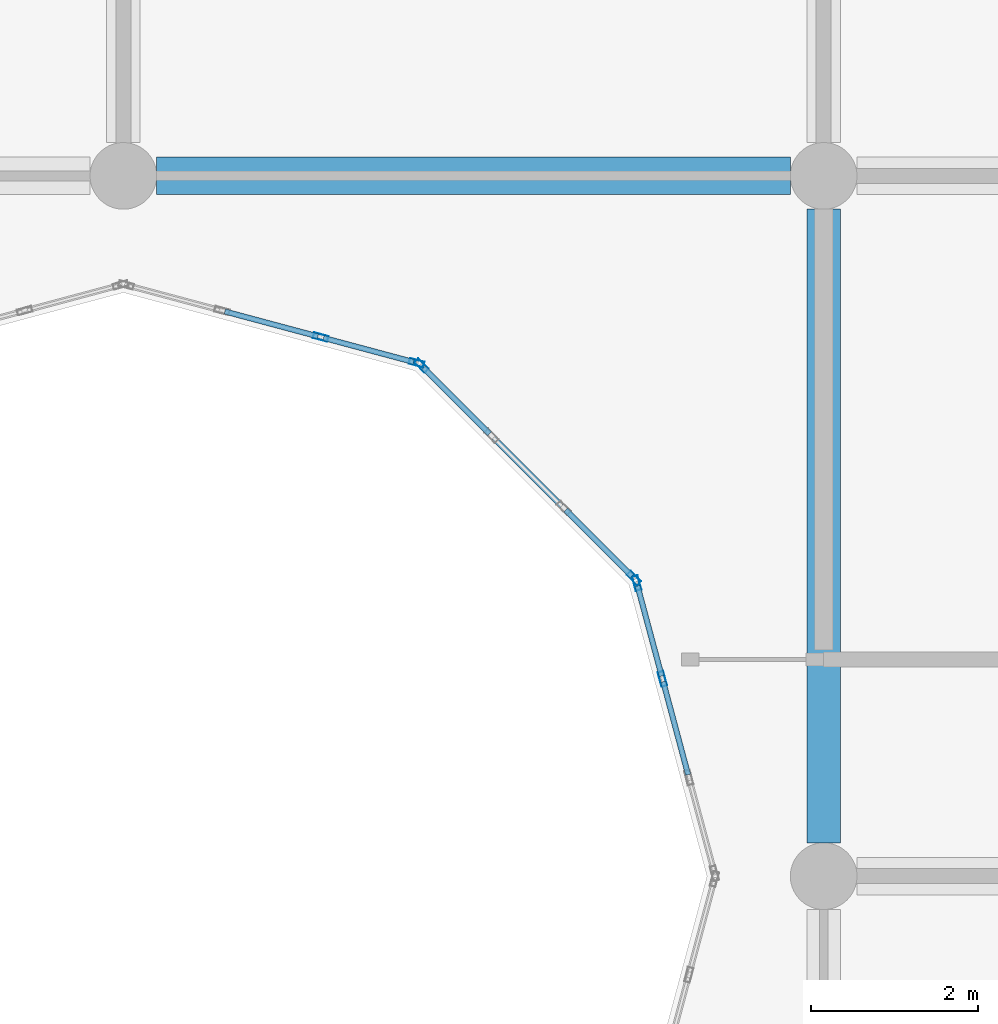
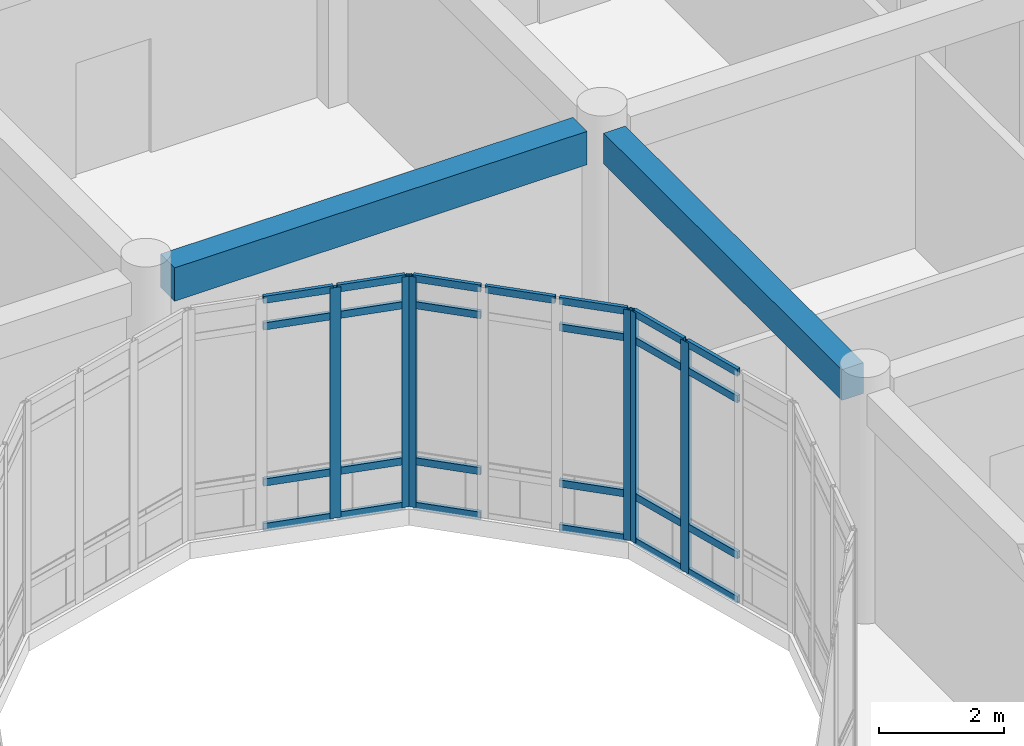
# One storey, part 40 of 138: 31 members, 2 beams, 3 elements without a shape of their own.
"""IFC4 building model written with IfcOpenShell, lengths in metres."""

from ifc_helpers import new_model, si_unit, direction, frame, origin, origin_2d, place, context, subcontext, project, spatial, rectangle, hollow_rectangle, extrude, material, layer, layer_set, material_profile, profile_set, type_object, element, aggregate, save


model = new_model("IFC4")

# Units and contexts
model_context = context("Model", 3, precision=1e-05, world=origin(), true_north=direction((0.0, 1.0)))
body_context = subcontext(model_context, "Body", "Model", "MODEL_VIEW")
ifc_project = project(units=[si_unit("LENGTHUNIT", "METRE"), si_unit("AREAUNIT", "SQUARE_METRE"), si_unit("VOLUMEUNIT", "CUBIC_METRE"), si_unit("PLANEANGLEUNIT", "RADIAN"), si_unit("MASSUNIT", "GRAM", prefix="KILO")], contexts=[model_context])

# Site, building, storey
site_placement = place(None, origin())
site = spatial("IfcSite", under=ifc_project, at=site_placement, CompositionType="ELEMENT")
building_placement = place(site_placement, origin())
building = spatial("IfcBuilding", under=site, at=building_placement, Name="Bramfleet General Hospital", CompositionType="ELEMENT")
storey_placement = place(building_placement, origin())
storey = spatial("IfcBuildingStorey", under=building, at=storey_placement, Name="L00", CompositionType="ELEMENT", Elevation=0.0)

# Beams
ifc_material_1 = material(Name="Concrete C35/45", Category="concrete")
ifc_material_profile_1 = material_profile(ifc_material_1, rectangle(XDim=0.39990234375, YDim=0.60009765625, at=origin_2d()), Name="RC BM 600x400")
ifc_profile_set_1 = profile_set([ifc_material_profile_1], Name="Concrete C35/45")
beam_type_1 = type_object("IfcBeamType", Name="BM-RC600", PredefinedType="BEAM", material=ifc_profile_set_1)
beam_1_placement = place(storey_placement, frame((92.39990234375, 76.0, 4.199951171875), z_axis=(0.0, 1.0, 0.0), x_axis=(-1.0, 0.0, 0.0)))
element("IfcBeam", 1, at=beam_1_placement, inside=storey, type_object=beam_type_1, Name="L00 Grid Beam Y 11-09", PredefinedType="BEAM", context=body_context, shape_type="SweptSolid", body=[
    extrude(rectangle(XDim=0.39990234375, YDim=0.60009765625, at=origin_2d()), origin(), (0.0, 0.0, 1.0), 7.60009765625),
])
ifc_material_profile_2 = material_profile(ifc_material_1, rectangle(XDim=0.449951171875, YDim=0.64990234375, at=origin_2d()), Name="RC BM 650x450")
ifc_profile_set_2 = profile_set([ifc_material_profile_2], Name="Concrete C35/45")
beam_type_2 = type_object("IfcBeamType", Name="BM-RC650", PredefinedType="BEAM", material=ifc_profile_set_2)
beam_2_placement = place(storey_placement, frame((84.39990234375, 84.0, 4.175048828125), z_axis=(1.0, 0.0, 0.0), x_axis=(0.0, 1.0, 0.0)))
element("IfcBeam", 2, at=beam_2_placement, inside=storey, type_object=beam_type_2, Name="L00 Grid Beam X 10-10", PredefinedType="BEAM", context=body_context, shape_type="SweptSolid", body=[
    extrude(rectangle(XDim=0.449951171875, YDim=0.64990234375, at=origin_2d()), origin(), (0.0, 0.0, 1.0), 7.60009765625),
])

# Curtain wall, members
ifc_material_2 = material(Name="Anodised aluminium and low-E triple glazing", Category="aluminium")
ifc_layer_1 = layer(ifc_material_2, 0.179931640625, Name="CWT-CW-15")
ifc_layer_set_1 = layer_set([ifc_layer_1], Name="Anodised aluminium and low-E triple glazing")
curtain_wall_type_1 = type_object("IfcCurtainWallType", Name="CWT-CW-15", PredefinedType="USERDEFINED", material=ifc_layer_set_1)
curtain_wall_1_placement = place(storey_placement, origin())
curtain_wall_1 = element("IfcCurtainWall", 3, at=curtain_wall_1_placement, inside=storey, type_object=curtain_wall_type_1, Name="L00 Central Diagnostic Light Court Curtain Wall 7.1", ObjectType="Stick curtain wall", PredefinedType="USERDEFINED")
ifc_material_3 = material(Name="Anodised aluminium EN AW-6060", Category="aluminium")
ifc_material_profile_3 = material_profile(ifc_material_3, hollow_rectangle(XDim=0.070068359375, YDim=0.179931640625, WallThickness=0.00390625, at=origin_2d()), Name="ALU 180x70x4.0")
ifc_profile_set_3 = profile_set([ifc_material_profile_3], Name="Anodised aluminium EN AW-6060")
member_type_1 = type_object("IfcMemberType", Name="CWM-ALU180", PredefinedType="MULLION", material=ifc_profile_set_3)
member_1_placement = place(storey_placement, frame((90.466064453125, 77.966552734375, 0.0), z_axis=(0.0, 0.0, 1.0), x_axis=(-0.965940765005, -0.258763286618, 0.0)))
member_1 = element("IfcMember", 4, at=member_1_placement, type_object=member_type_1, Name="CW-15 mullion 3", PredefinedType="MULLION", context=body_context, shape_type="SweptSolid", body=[
    extrude(hollow_rectangle(XDim=0.070068359375, YDim=0.179931640625, WallThickness=0.00390625, at=origin_2d()), origin(), (0.0, 0.0, 1.0), 4.489990234375),
])
member_2_placement = place(storey_placement, frame((90.157958984375, 79.1162109375, 0.0), z_axis=(0.0, 0.0, 1.0), x_axis=(-0.965940765005, -0.258763286618, 0.0)))
member_2 = element("IfcMember", 5, at=member_2_placement, type_object=member_type_1, Name="CW-15 mullion 4", PredefinedType="MULLION", context=body_context, shape_type="SweptSolid", body=[
    extrude(hollow_rectangle(XDim=0.070068359375, YDim=0.179931640625, WallThickness=0.00390625, at=origin_2d()), origin(), (0.0, 0.0, 1.0), 4.489990234375),
])

ifc_layer_2 = layer(ifc_material_2, 0.179931640625, Name="CWT-CW-16")
ifc_layer_set_2 = layer_set([ifc_layer_2], Name="Anodised aluminium and low-E triple glazing")
curtain_wall_type_2 = type_object("IfcCurtainWallType", Name="CWT-CW-16", PredefinedType="USERDEFINED", material=ifc_layer_set_2)
curtain_wall_2_placement = place(storey_placement, origin())
curtain_wall_2 = element("IfcCurtainWall", 6, at=curtain_wall_2_placement, inside=storey, type_object=curtain_wall_type_2, Name="L00 Central Diagnostic Light Court Curtain Wall 8.1", ObjectType="Stick curtain wall", PredefinedType="USERDEFINED")
member_3_placement = place(storey_placement, frame((90.124267578125, 79.1748046875, 0.0), z_axis=(0.0, 0.0, 1.0), x_axis=(-0.707106781187, -0.707106781187, 0.0)))
member_3 = element("IfcMember", 7, at=member_3_placement, type_object=member_type_1, Name="CW-16 mullion 1", PredefinedType="MULLION", context=body_context, shape_type="SweptSolid", body=[
    extrude(hollow_rectangle(XDim=0.070068359375, YDim=0.179931640625, WallThickness=0.00390625, at=origin_2d()), origin(), (0.0, 0.0, 1.0), 4.489990234375),
])
member_4_placement = place(storey_placement, frame((87.57470703125, 81.724365234375, 0.0), z_axis=(0.0, 0.0, 1.0), x_axis=(-0.707106781187, -0.707106781187, 0.0)))
member_4 = element("IfcMember", 8, at=member_4_placement, type_object=member_type_1, Name="CW-16 mullion 4", PredefinedType="MULLION", context=body_context, shape_type="SweptSolid", body=[
    extrude(hollow_rectangle(XDim=0.070068359375, YDim=0.179931640625, WallThickness=0.00390625, at=origin_2d()), origin(), (0.0, 0.0, 1.0), 4.489990234375),
])

ifc_layer_3 = layer(ifc_material_2, 0.179931640625, Name="CWT-CW-17")
ifc_layer_set_3 = layer_set([ifc_layer_3], Name="Anodised aluminium and low-E triple glazing")
curtain_wall_type_3 = type_object("IfcCurtainWallType", Name="CWT-CW-17", PredefinedType="USERDEFINED", material=ifc_layer_set_3)
curtain_wall_3_placement = place(storey_placement, origin())
curtain_wall_3 = element("IfcCurtainWall", 9, at=curtain_wall_3_placement, inside=storey, type_object=curtain_wall_type_3, Name="L00 Central Diagnostic Light Court Curtain Wall 9.1", ObjectType="Stick curtain wall", PredefinedType="USERDEFINED")
member_5_placement = place(storey_placement, frame((87.51611328125, 81.758056640625, 0.0), z_axis=(0.0, 0.0, 1.0), x_axis=(-0.258763286618, -0.965940765005, 0.0)))
member_5 = element("IfcMember", 10, at=member_5_placement, type_object=member_type_1, Name="CW-17 mullion 1", PredefinedType="MULLION", context=body_context, shape_type="SweptSolid", body=[
    extrude(hollow_rectangle(XDim=0.070068359375, YDim=0.179931640625, WallThickness=0.00390625, at=origin_2d()), origin(), (0.0, 0.0, 1.0), 4.489990234375),
])
member_6_placement = place(storey_placement, frame((86.36669921875, 82.06591796875, 0.0), z_axis=(0.0, 0.0, 1.0), x_axis=(-0.258763286618, -0.965940765005, 0.0)))
member_6 = element("IfcMember", 11, at=member_6_placement, type_object=member_type_1, Name="CW-17 mullion 2", PredefinedType="MULLION", context=body_context, shape_type="SweptSolid", body=[
    extrude(hollow_rectangle(XDim=0.070068359375, YDim=0.179931640625, WallThickness=0.00390625, at=origin_2d()), origin(), (0.0, 0.0, 1.0), 4.489990234375),
])

# Member
ifc_material_profile_4 = material_profile(ifc_material_3, hollow_rectangle(XDim=0.06494140625, YDim=0.139892578125, WallThickness=0.00390625, at=origin_2d()), Name="ALU 140x65x4.0")
ifc_profile_set_4 = profile_set([ifc_material_profile_4], Name="Anodised aluminium EN AW-6060")
member_type_2 = type_object("IfcMemberType", Name="CWT-ALU140", PredefinedType="USERDEFINED", material=ifc_profile_set_4)
member_7_placement = place(storey_placement, frame((90.77392578125, 76.817138671875, 0.032470703125), z_axis=(-0.258714954608, 0.965953711242, 0.0), x_axis=(-0.965953711242, -0.258714954608, 0.0)))
member_7 = element("IfcMember", 12, at=member_7_placement, type_object=member_type_2, Name="CW-15 transom 2.1", ObjectType="TRANSOM", PredefinedType="USERDEFINED", context=body_context, shape_type="SweptSolid", body=[
    extrude(hollow_rectangle(XDim=0.06494140625, YDim=0.139892578125, WallThickness=0.00390625, at=origin_2d()), origin(), (0.0, 0.0, 1.0), 1.155029296875),
])

member_8_placement = place(storey_placement, frame((90.77392578125, 76.817138671875, 0.89990234375), z_axis=(-0.258714954608, 0.965953711242, 0.0), x_axis=(-0.965953711242, -0.258714954608, 0.0)))
member_8 = element("IfcMember", 13, at=member_8_placement, type_object=member_type_2, Name="CW-15 transom 2.2", ObjectType="TRANSOM", PredefinedType="USERDEFINED", context=body_context, shape_type="SweptSolid", body=[
    extrude(hollow_rectangle(XDim=0.06494140625, YDim=0.139892578125, WallThickness=0.00390625, at=origin_2d()), origin(), (0.0, 0.0, 1.0), 1.155029296875),
])

member_9_placement = place(storey_placement, frame((90.77392578125, 76.817138671875, 3.93994140625), z_axis=(-0.258714954608, 0.965953711242, 0.0), x_axis=(-0.965953711242, -0.258714954608, 0.0)))
member_9 = element("IfcMember", 14, at=member_9_placement, type_object=member_type_2, Name="CW-15 transom 2.3", ObjectType="TRANSOM", PredefinedType="USERDEFINED", context=body_context, shape_type="SweptSolid", body=[
    extrude(hollow_rectangle(XDim=0.06494140625, YDim=0.139892578125, WallThickness=0.00390625, at=origin_2d()), origin(), (0.0, 0.0, 1.0), 1.155029296875),
])

member_10_placement = place(storey_placement, frame((90.77392578125, 76.817138671875, 4.45751953125), z_axis=(-0.258714954608, 0.965953711242, 0.0), x_axis=(-0.965953711242, -0.258714954608, 0.0)))
member_10 = element("IfcMember", 15, at=member_10_placement, type_object=member_type_2, Name="CW-15 transom 2.4", ObjectType="TRANSOM", PredefinedType="USERDEFINED", context=body_context, shape_type="SweptSolid", body=[
    extrude(hollow_rectangle(XDim=0.06494140625, YDim=0.139892578125, WallThickness=0.00390625, at=origin_2d()), origin(), (0.0, 0.0, 1.0), 1.155029296875),
])

member_11_placement = place(storey_placement, frame((90.45703125, 78.00048828125, 0.032470703125), z_axis=(-0.258964892978, 0.965886734667, 0.0), x_axis=(-0.965886734667, -0.258964892978, 0.0)))
member_11 = element("IfcMember", 16, at=member_11_placement, type_object=member_type_2, Name="CW-15 transom 3.1", ObjectType="TRANSOM", PredefinedType="USERDEFINED", context=body_context, shape_type="SweptSolid", body=[
    extrude(hollow_rectangle(XDim=0.06494140625, YDim=0.139892578125, WallThickness=0.00390625, at=origin_2d()), origin(), (0.0, 0.0, 1.0), 1.119873046875),
])

member_12_placement = place(storey_placement, frame((90.45703125, 78.00048828125, 0.89990234375), z_axis=(-0.258964892978, 0.965886734667, 0.0), x_axis=(-0.965886734667, -0.258964892978, 0.0)))
member_12 = element("IfcMember", 17, at=member_12_placement, type_object=member_type_2, Name="CW-15 transom 3.2", ObjectType="TRANSOM", PredefinedType="USERDEFINED", context=body_context, shape_type="SweptSolid", body=[
    extrude(hollow_rectangle(XDim=0.06494140625, YDim=0.139892578125, WallThickness=0.00390625, at=origin_2d()), origin(), (0.0, 0.0, 1.0), 1.119873046875),
])

member_13_placement = place(storey_placement, frame((90.45703125, 78.00048828125, 3.93994140625), z_axis=(-0.258964892978, 0.965886734667, 0.0), x_axis=(-0.965886734667, -0.258964892978, 0.0)))
member_13 = element("IfcMember", 18, at=member_13_placement, type_object=member_type_2, Name="CW-15 transom 3.3", ObjectType="TRANSOM", PredefinedType="USERDEFINED", context=body_context, shape_type="SweptSolid", body=[
    extrude(hollow_rectangle(XDim=0.06494140625, YDim=0.139892578125, WallThickness=0.00390625, at=origin_2d()), origin(), (0.0, 0.0, 1.0), 1.119873046875),
])

member_14_placement = place(storey_placement, frame((90.45703125, 78.00048828125, 4.45751953125), z_axis=(-0.258964892978, 0.965886734667, 0.0), x_axis=(-0.965886734667, -0.258964892978, 0.0)))
member_14 = element("IfcMember", 19, at=member_14_placement, type_object=member_type_2, Name="CW-15 transom 3.4", ObjectType="TRANSOM", PredefinedType="USERDEFINED", context=body_context, shape_type="SweptSolid", body=[
    extrude(hollow_rectangle(XDim=0.06494140625, YDim=0.139892578125, WallThickness=0.00390625, at=origin_2d()), origin(), (0.0, 0.0, 1.0), 1.119873046875),
])

aggregate(curtain_wall_1, [member_1, member_2, member_7, member_8, member_9, member_10, member_11, member_12, member_13, member_14])

member_15_placement = place(storey_placement, frame((90.099609375, 79.199462890625, 0.032470703125), z_axis=(-0.707106781187, 0.707106781187, 0.0), x_axis=(-0.707106781187, -0.707106781187, 0.0)))
member_15 = element("IfcMember", 20, at=member_15_placement, type_object=member_type_2, Name="CW-16 transom 1.1", ObjectType="TRANSOM", PredefinedType="USERDEFINED", context=body_context, shape_type="SweptSolid", body=[
    extrude(hollow_rectangle(XDim=0.06494140625, YDim=0.139892578125, WallThickness=0.00390625, at=origin_2d()), origin(), (0.0, 0.0, 1.0), 1.120361328125),
])

member_16_placement = place(storey_placement, frame((90.099609375, 79.199462890625, 0.89990234375), z_axis=(-0.707106781187, 0.707106781187, 0.0), x_axis=(-0.707106781187, -0.707106781187, 0.0)))
member_16 = element("IfcMember", 21, at=member_16_placement, type_object=member_type_2, Name="CW-16 transom 1.2", ObjectType="TRANSOM", PredefinedType="USERDEFINED", context=body_context, shape_type="SweptSolid", body=[
    extrude(hollow_rectangle(XDim=0.06494140625, YDim=0.139892578125, WallThickness=0.00390625, at=origin_2d()), origin(), (0.0, 0.0, 1.0), 1.120361328125),
])

member_17_placement = place(storey_placement, frame((90.099609375, 79.199462890625, 3.93994140625), z_axis=(-0.707106781187, 0.707106781187, 0.0), x_axis=(-0.707106781187, -0.707106781187, 0.0)))
member_17 = element("IfcMember", 22, at=member_17_placement, type_object=member_type_2, Name="CW-16 transom 1.3", ObjectType="TRANSOM", PredefinedType="USERDEFINED", context=body_context, shape_type="SweptSolid", body=[
    extrude(hollow_rectangle(XDim=0.06494140625, YDim=0.139892578125, WallThickness=0.00390625, at=origin_2d()), origin(), (0.0, 0.0, 1.0), 1.120361328125),
])

member_18_placement = place(storey_placement, frame((90.099609375, 79.199462890625, 4.45751953125), z_axis=(-0.707106781187, 0.707106781187, 0.0), x_axis=(-0.707106781187, -0.707106781187, 0.0)))
member_18 = element("IfcMember", 23, at=member_18_placement, type_object=member_type_2, Name="CW-16 transom 1.4", ObjectType="TRANSOM", PredefinedType="USERDEFINED", context=body_context, shape_type="SweptSolid", body=[
    extrude(hollow_rectangle(XDim=0.06494140625, YDim=0.139892578125, WallThickness=0.00390625, at=origin_2d()), origin(), (0.0, 0.0, 1.0), 1.120361328125),
])

member_19_placement = place(storey_placement, frame((89.2578125, 80.041015625, 4.45751953125), z_axis=(-0.707001093006, 0.707212453572, 0.0), x_axis=(-0.707212453572, -0.707001093006, 0.0)))
member_19 = element("IfcMember", 24, at=member_19_placement, type_object=member_type_2, Name="CW-16 transom 2.4", ObjectType="TRANSOM", PredefinedType="USERDEFINED", context=body_context, shape_type="SweptSolid", body=[
    extrude(hollow_rectangle(XDim=0.06494140625, YDim=0.139892578125, WallThickness=0.00390625, at=origin_2d()), origin(), (0.0, 0.0, 1.0), 1.155029296875),
])

member_20_placement = place(storey_placement, frame((88.3916015625, 80.907470703125, 0.032470703125), z_axis=(-0.707106781187, 0.707106781187, 0.0), x_axis=(-0.707106781187, -0.707106781187, 0.0)))
member_20 = element("IfcMember", 25, at=member_20_placement, type_object=member_type_2, Name="CW-16 transom 3.1", ObjectType="TRANSOM", PredefinedType="USERDEFINED", context=body_context, shape_type="SweptSolid", body=[
    extrude(hollow_rectangle(XDim=0.06494140625, YDim=0.139892578125, WallThickness=0.00390625, at=origin_2d()), origin(), (0.0, 0.0, 1.0), 1.1201171875),
])

member_21_placement = place(storey_placement, frame((88.3916015625, 80.907470703125, 0.89990234375), z_axis=(-0.707106781187, 0.707106781187, 0.0), x_axis=(-0.707106781187, -0.707106781187, 0.0)))
member_21 = element("IfcMember", 26, at=member_21_placement, type_object=member_type_2, Name="CW-16 transom 3.2", ObjectType="TRANSOM", PredefinedType="USERDEFINED", context=body_context, shape_type="SweptSolid", body=[
    extrude(hollow_rectangle(XDim=0.06494140625, YDim=0.139892578125, WallThickness=0.00390625, at=origin_2d()), origin(), (0.0, 0.0, 1.0), 1.1201171875),
])

member_22_placement = place(storey_placement, frame((88.3916015625, 80.907470703125, 3.93994140625), z_axis=(-0.707106781187, 0.707106781187, 0.0), x_axis=(-0.707106781187, -0.707106781187, 0.0)))
member_22 = element("IfcMember", 27, at=member_22_placement, type_object=member_type_2, Name="CW-16 transom 3.3", ObjectType="TRANSOM", PredefinedType="USERDEFINED", context=body_context, shape_type="SweptSolid", body=[
    extrude(hollow_rectangle(XDim=0.06494140625, YDim=0.139892578125, WallThickness=0.00390625, at=origin_2d()), origin(), (0.0, 0.0, 1.0), 1.1201171875),
])

member_23_placement = place(storey_placement, frame((88.3916015625, 80.907470703125, 4.45751953125), z_axis=(-0.707106781187, 0.707106781187, 0.0), x_axis=(-0.707106781187, -0.707106781187, 0.0)))
member_23 = element("IfcMember", 28, at=member_23_placement, type_object=member_type_2, Name="CW-16 transom 3.4", ObjectType="TRANSOM", PredefinedType="USERDEFINED", context=body_context, shape_type="SweptSolid", body=[
    extrude(hollow_rectangle(XDim=0.06494140625, YDim=0.139892578125, WallThickness=0.00390625, at=origin_2d()), origin(), (0.0, 0.0, 1.0), 1.1201171875),
])

aggregate(curtain_wall_2, [member_3, member_4, member_15, member_16, member_17, member_18, member_19, member_20, member_21, member_22, member_23])

member_24_placement = place(storey_placement, frame((87.482421875, 81.76708984375, 0.032470703125), z_axis=(-0.965955832691, 0.25870703371, 0.0), x_axis=(-0.25870703371, -0.965955832691, 0.0)))
member_24 = element("IfcMember", 29, at=member_24_placement, type_object=member_type_2, Name="CW-17 transom 1.1", ObjectType="TRANSOM", PredefinedType="USERDEFINED", context=body_context, shape_type="SweptSolid", body=[
    extrude(hollow_rectangle(XDim=0.06494140625, YDim=0.139892578125, WallThickness=0.00390625, at=origin_2d()), origin(), (0.0, 0.0, 1.0), 1.1201171875),
])

member_25_placement = place(storey_placement, frame((87.482421875, 81.76708984375, 0.89990234375), z_axis=(-0.965955832691, 0.25870703371, 0.0), x_axis=(-0.25870703371, -0.965955832691, 0.0)))
member_25 = element("IfcMember", 30, at=member_25_placement, type_object=member_type_2, Name="CW-17 transom 1.2", ObjectType="TRANSOM", PredefinedType="USERDEFINED", context=body_context, shape_type="SweptSolid", body=[
    extrude(hollow_rectangle(XDim=0.06494140625, YDim=0.139892578125, WallThickness=0.00390625, at=origin_2d()), origin(), (0.0, 0.0, 1.0), 1.1201171875),
])

member_26_placement = place(storey_placement, frame((87.482421875, 81.76708984375, 3.93994140625), z_axis=(-0.965955832691, 0.25870703371, 0.0), x_axis=(-0.25870703371, -0.965955832691, 0.0)))
member_26 = element("IfcMember", 31, at=member_26_placement, type_object=member_type_2, Name="CW-17 transom 1.3", ObjectType="TRANSOM", PredefinedType="USERDEFINED", context=body_context, shape_type="SweptSolid", body=[
    extrude(hollow_rectangle(XDim=0.06494140625, YDim=0.139892578125, WallThickness=0.00390625, at=origin_2d()), origin(), (0.0, 0.0, 1.0), 1.1201171875),
])

member_27_placement = place(storey_placement, frame((87.482421875, 81.76708984375, 4.45751953125), z_axis=(-0.965955832691, 0.25870703371, 0.0), x_axis=(-0.25870703371, -0.965955832691, 0.0)))
member_27 = element("IfcMember", 32, at=member_27_placement, type_object=member_type_2, Name="CW-17 transom 1.4", ObjectType="TRANSOM", PredefinedType="USERDEFINED", context=body_context, shape_type="SweptSolid", body=[
    extrude(hollow_rectangle(XDim=0.06494140625, YDim=0.139892578125, WallThickness=0.00390625, at=origin_2d()), origin(), (0.0, 0.0, 1.0), 1.1201171875),
])

member_28_placement = place(storey_placement, frame((86.332763671875, 82.074951171875, 0.032470703125), z_axis=(-0.96590087162, 0.258912159242, 0.0), x_axis=(-0.258912159242, -0.96590087162, 0.0)))
member_28 = element("IfcMember", 33, at=member_28_placement, type_object=member_type_2, Name="CW-17 transom 2.1", ObjectType="TRANSOM", PredefinedType="USERDEFINED", context=body_context, shape_type="SweptSolid", body=[
    extrude(hollow_rectangle(XDim=0.06494140625, YDim=0.139892578125, WallThickness=0.00390625, at=origin_2d()), origin(), (0.0, 0.0, 1.0), 1.155029296875),
])

member_29_placement = place(storey_placement, frame((86.332763671875, 82.074951171875, 0.89990234375), z_axis=(-0.96590087162, 0.258912159242, 0.0), x_axis=(-0.258912159242, -0.96590087162, 0.0)))
member_29 = element("IfcMember", 34, at=member_29_placement, type_object=member_type_2, Name="CW-17 transom 2.2", ObjectType="TRANSOM", PredefinedType="USERDEFINED", context=body_context, shape_type="SweptSolid", body=[
    extrude(hollow_rectangle(XDim=0.06494140625, YDim=0.139892578125, WallThickness=0.00390625, at=origin_2d()), origin(), (0.0, 0.0, 1.0), 1.155029296875),
])

member_30_placement = place(storey_placement, frame((86.332763671875, 82.074951171875, 3.93994140625), z_axis=(-0.96590087162, 0.258912159242, 0.0), x_axis=(-0.258912159242, -0.96590087162, 0.0)))
member_30 = element("IfcMember", 35, at=member_30_placement, type_object=member_type_2, Name="CW-17 transom 2.3", ObjectType="TRANSOM", PredefinedType="USERDEFINED", context=body_context, shape_type="SweptSolid", body=[
    extrude(hollow_rectangle(XDim=0.06494140625, YDim=0.139892578125, WallThickness=0.00390625, at=origin_2d()), origin(), (0.0, 0.0, 1.0), 1.155029296875),
])

member_31_placement = place(storey_placement, frame((86.332763671875, 82.074951171875, 4.45751953125), z_axis=(-0.96590087162, 0.258912159242, 0.0), x_axis=(-0.258912159242, -0.96590087162, 0.0)))
member_31 = element("IfcMember", 36, at=member_31_placement, type_object=member_type_2, Name="CW-17 transom 2.4", ObjectType="TRANSOM", PredefinedType="USERDEFINED", context=body_context, shape_type="SweptSolid", body=[
    extrude(hollow_rectangle(XDim=0.06494140625, YDim=0.139892578125, WallThickness=0.00390625, at=origin_2d()), origin(), (0.0, 0.0, 1.0), 1.155029296875),
])

aggregate(curtain_wall_3, [member_5, member_6, member_24, member_25, member_26, member_27, member_28, member_29, member_30, member_31])

save(model, "model.ifc")
